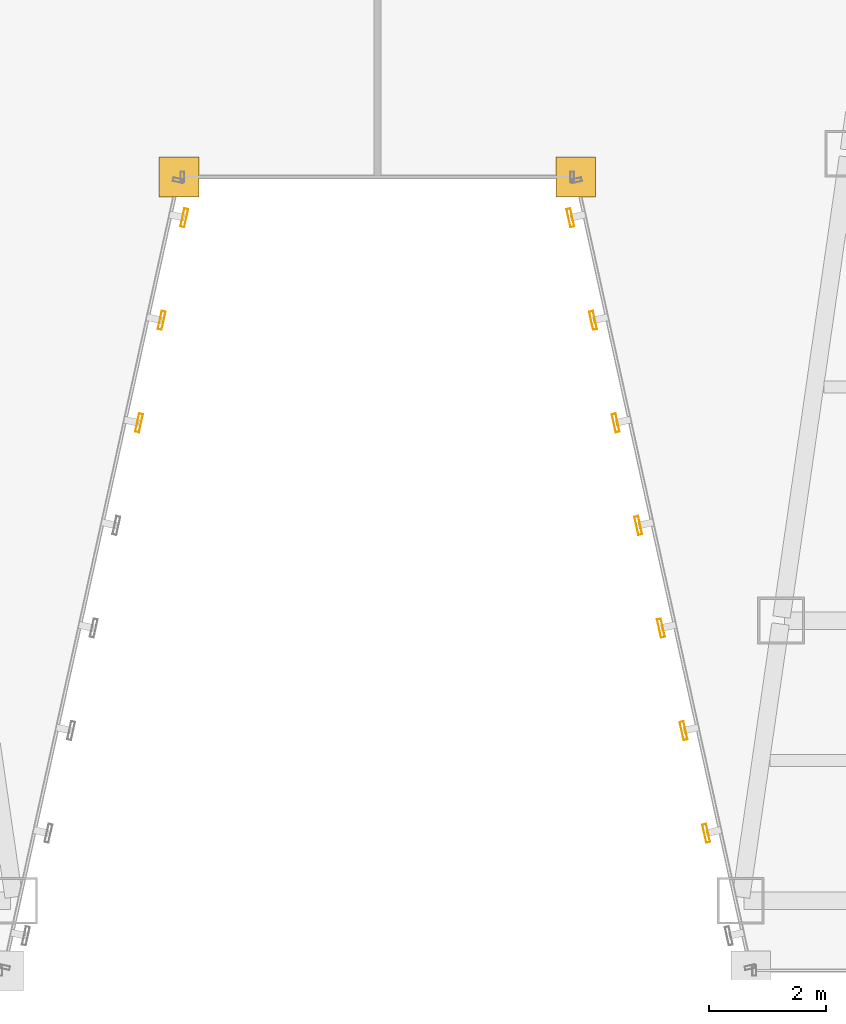
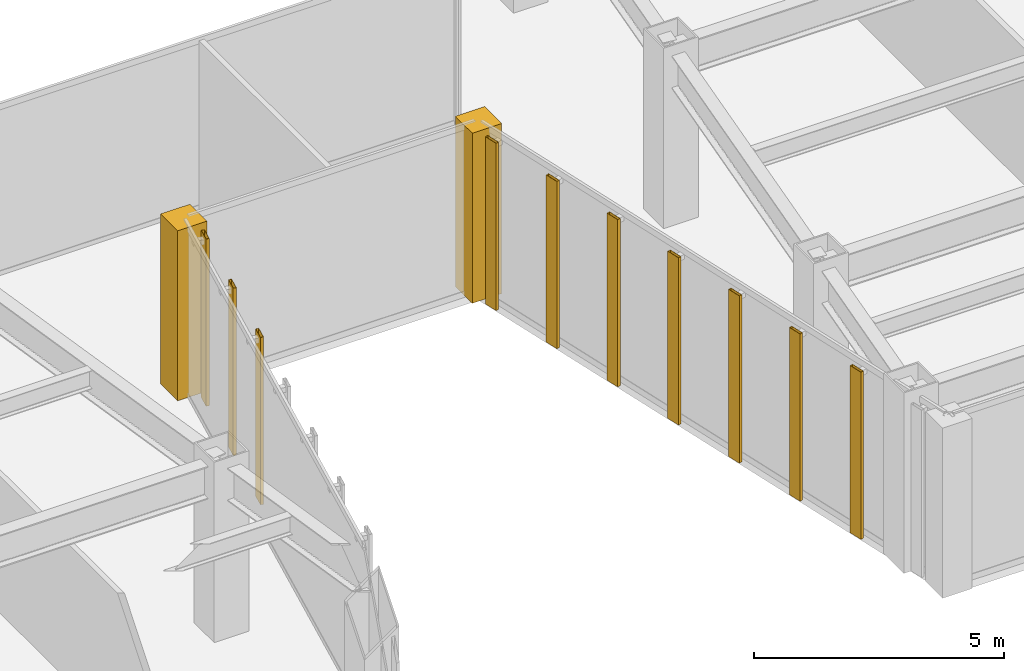
# One storey, part 42 of 47: 10 shading devices, 2 coverings.
"""IFC4 building model written with IfcOpenShell, lengths in metres."""

from ifc_helpers import new_model, si_unit, direction, frame, origin, origin_2d, place, context, subcontext, project, spatial, polyline, hollow_rectangle, outline, extrude, material, layer, layer_set, material_profile, profile_set, type_object, element, save


model = new_model("IFC4")

# Units and contexts
model_context = context("Model", 3, precision=1e-05, world=origin(), true_north=direction((0.0, 1.0)))
body_context = subcontext(model_context, "Body", "Model", "MODEL_VIEW")
ifc_project = project(units=[si_unit("LENGTHUNIT", "METRE"), si_unit("AREAUNIT", "SQUARE_METRE"), si_unit("VOLUMEUNIT", "CUBIC_METRE"), si_unit("PLANEANGLEUNIT", "RADIAN"), si_unit("MASSUNIT", "GRAM", prefix="KILO")], contexts=[model_context])

# Site, building, storey
site_placement = place(None, origin())
site = spatial("IfcSite", under=ifc_project, at=site_placement, CompositionType="ELEMENT")
building_placement = place(site_placement, origin())
building = spatial("IfcBuilding", under=site, at=building_placement, Name="Saevonmaru Cultural Tower", CompositionType="ELEMENT")
storey_placement = place(building_placement, frame((0.0, 0.0, 78.0)))
storey = spatial("IfcBuildingStorey", under=building, at=storey_placement, Name="L16", CompositionType="ELEMENT", Elevation=78.0)

# Coverings
ifc_material = material(Name="Satin Bronze Anodised Aluminium", Category="aluminium")
ifc_layer = layer(ifc_material, 0.679931640625, Name="Satin Bronze Anodised Aluminium")
ifc_layer_set = layer_set([ifc_layer], Name="Satin Bronze Anodised Aluminium")
covering_type = type_object("IfcCoveringType", Name="CV-CORNER-CLAD", PredefinedType="CLADDING", material=ifc_layer_set)
covering_1_placement = place(storey_placement, origin())
element("IfcCovering", 1, at=covering_1_placement, inside=storey, type_object=covering_type, Name="L16 Tower Bronze Corner Cladding Pier 4", PredefinedType="CLADDING", context=body_context, shape_type="SweptSolid", body=[
    extrude(outline(polyline([(26.260009765625, 15.260009765625), (26.93994140625, 15.260009765625), (26.93994140625, 15.93994140625), (26.260009765625, 15.93994140625), (26.260009765625, 15.260009765625)])), origin(), (0.0, 0.0, 1.0), 4.14990234375),
])
covering_2_placement = place(storey_placement, origin())
element("IfcCovering", 2, at=covering_2_placement, inside=storey, type_object=covering_type, Name="L16 Tower Bronze Corner Cladding Pier 5", PredefinedType="CLADDING", context=body_context, shape_type="SweptSolid", body=[
    extrude(outline(polyline([(33.06005859375, 15.260009765625), (33.739990234375, 15.260009765625), (33.739990234375, 15.93994140625), (33.06005859375, 15.93994140625), (33.06005859375, 15.260009765625)])), origin(), (0.0, 0.0, 1.0), 4.14990234375),
])

# Shading devices
ifc_material_profile = material_profile(ifc_material, hollow_rectangle(XDim=0.070068359375, YDim=0.320068359375, WallThickness=0.0048828125, at=origin_2d()), Name="FIN-320x70")
ifc_profile_set = profile_set([ifc_material_profile], Name="Satin Bronze Anodised Aluminium")
shading_device_type = type_object("IfcShadingDeviceType", Name="SHD-FIN-320", PredefinedType="JALOUSIE", material=ifc_profile_set)
for number, where, z_axis, x_axis, name in (
    (3, (25.916015625, 11.385009765625, 0.050048828125), (0.0, 0.0, 1.0), (0.976522126798, -0.215417120661, 0.0), "L16 Art Deco Sawtooth Bronze Fin E3-06"),
    (4, (26.3037109375, 13.142578125, 0.050048828125), (0.0, 0.0, 1.0), (0.976522126798, -0.215417120661, 0.0), "L16 Art Deco Sawtooth Bronze Fin E3-07"),
    (5, (26.69140625, 14.900390625, 0.050048828125), (0.0, 0.0, 1.0), (0.976522126798, -0.215417120661, 0.0), "L16 Art Deco Sawtooth Bronze Fin E3-08"),
    (6, (33.30859375, 14.900390625, 0.050048828125), (0.0, 0.0, 1.0), (-0.976522126798, -0.215417120661, 0.0), "L16 Art Deco Sawtooth Bronze Fin E5-01"),
    (7, (33.6962890625, 13.142578125, 0.050048828125), (0.0, 0.0, 1.0), (-0.976522126798, -0.215417120661, 0.0), "L16 Art Deco Sawtooth Bronze Fin E5-02"),
    (8, (34.083984375, 11.385009765625, 0.050048828125), (0.0, 0.0, 1.0), (-0.976522126798, -0.215417120661, 0.0), "L16 Art Deco Sawtooth Bronze Fin E5-03"),
    (9, (34.4716796875, 9.627197265625, 0.050048828125), (0.0, 0.0, 1.0), (-0.976522126798, -0.215417120661, 0.0), "L16 Art Deco Sawtooth Bronze Fin E5-04"),
    (10, (34.859619140625, 7.869384765625, 0.050048828125), (0.0, 0.0, 1.0), (-0.976522126798, -0.215417120661, 0.0), "L16 Art Deco Sawtooth Bronze Fin E5-05"),
    (11, (35.247314453125, 6.11181640625, 0.050048828125), (0.0, 0.0, 1.0), (-0.976522126798, -0.215417120661, 0.0), "L16 Art Deco Sawtooth Bronze Fin E5-06"),
    (12, (35.635009765625, 4.35400390625, 0.050048828125), (0.0, 0.0, 1.0), (-0.976522126798, -0.215417120661, 0.0), "L16 Art Deco Sawtooth Bronze Fin E5-07"),
):
    element("IfcShadingDevice", number, at=place(storey_placement, frame(where, z_axis=z_axis, x_axis=x_axis)), inside=storey, type_object=shading_device_type, Name=name, PredefinedType="JALOUSIE", context=body_context, shape_type="SweptSolid", body=[
        extrude(hollow_rectangle(XDim=0.070068359375, YDim=0.320068359375, WallThickness=0.0048828125, at=origin_2d()), origin(), (0.0, 0.0, 1.0), 4.079833984375),
    ])

save(model, "model.ifc")
